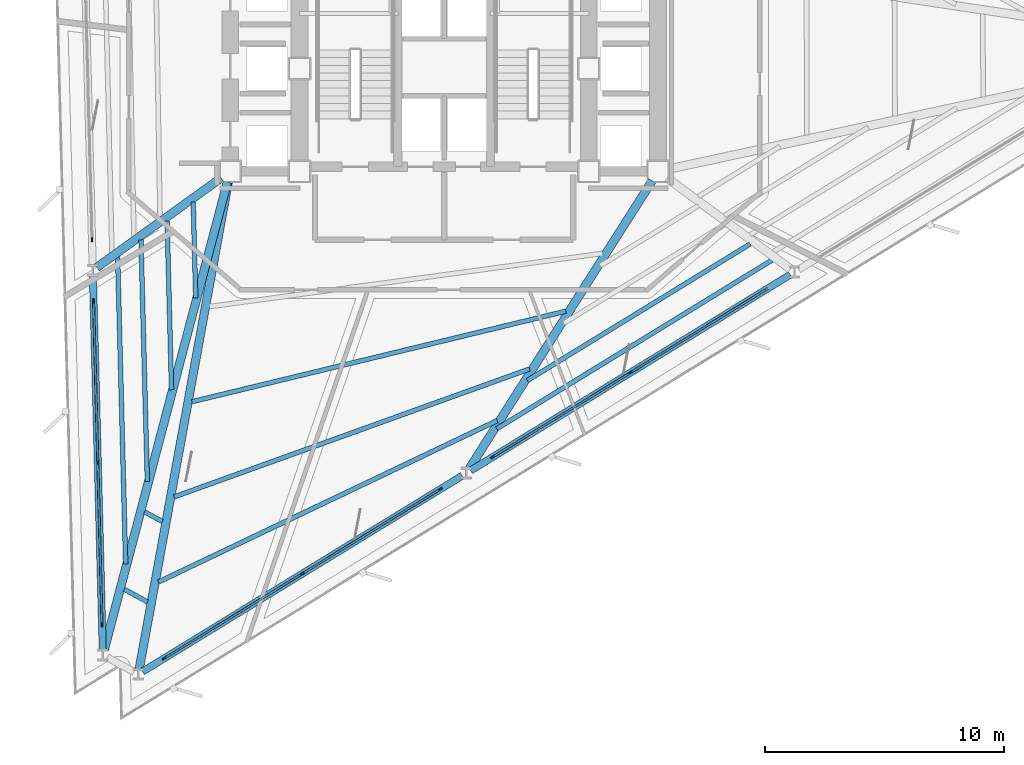
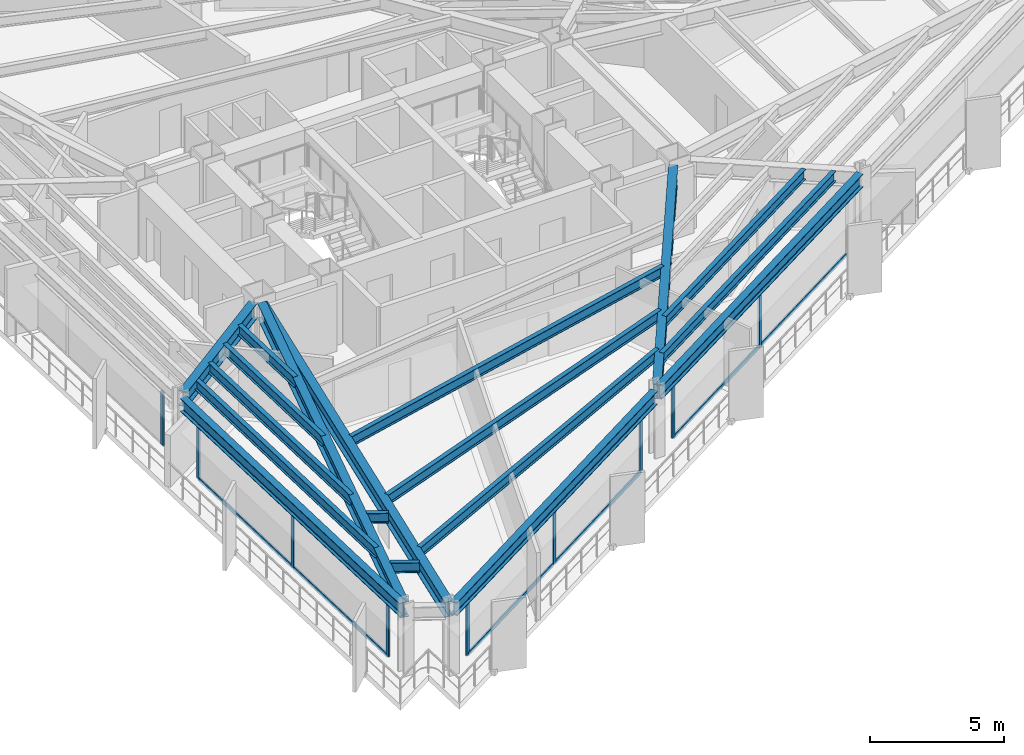
# One storey, part 2 of 14: 21 members, 18 beams, 4 elements without a shape of their own.
"""IFC4 building model written with IfcOpenShell, lengths in metres."""

from ifc_helpers import new_model, si_unit, direction, frame, origin, origin_2d, place, context, subcontext, project, spatial, rectangle, i_section, extrude, material, layer, layer_set, material_profile, profile_set, type_object, element, aggregate, save


model = new_model("IFC4")

# Units and contexts
model_context = context("Model", 3, precision=1e-05, world=origin(), true_north=direction((0.0, 1.0)))
body_context = subcontext(model_context, "Body", "Model", "MODEL_VIEW")
ifc_project = project(units=[si_unit("LENGTHUNIT", "METRE"), si_unit("AREAUNIT", "SQUARE_METRE"), si_unit("VOLUMEUNIT", "CUBIC_METRE"), si_unit("PLANEANGLEUNIT", "RADIAN"), si_unit("MASSUNIT", "GRAM", prefix="KILO")], contexts=[model_context])

# Site, building, storey
site_placement = place(None, origin())
site = spatial("IfcSite", under=ifc_project, at=site_placement, CompositionType="ELEMENT")
building_placement = place(site_placement, origin())
building = spatial("IfcBuilding", under=site, at=building_placement, Name="Rocaltana Carrier Exchange", CompositionType="ELEMENT")
storey_placement = place(building_placement, frame((0.0, 0.0, 28.9599609375)))
storey = spatial("IfcBuildingStorey", under=building, at=storey_placement, Name="L09", CompositionType="ELEMENT", Elevation=28.9599609375)

# Curtain wall, member
ifc_material_1 = material(Name="Aluminium 6063-T6", Category="aluminium")
ifc_layer = layer(ifc_material_1, 0.179931640625)
ifc_layer_set = layer_set([ifc_layer], Name="Aluminium 6063-T6")
curtain_wall_type = type_object("IfcCurtainWallType", Name="Sandstone Spandrel Unitised Curtain Wall CW-01", PredefinedType="NOTDEFINED", material=ifc_layer_set)
curtain_wall_1_placement = place(storey_placement, origin())
curtain_wall_1 = element("IfcCurtainWall", 1, at=curtain_wall_1_placement, inside=storey, type_object=curtain_wall_type, Name="L09 CW-01 Run CW-L09-F2S2", PredefinedType="NOTDEFINED")
ifc_material_2 = material(Name="Aluminium 6063-T6", Category="aluminium")
ifc_material_profile_1 = material_profile(ifc_material_2, rectangle(XDim=0.06494140625, YDim=0.179931640625, at=origin_2d()), Name="AL-65X180")
ifc_profile_set_1 = profile_set([ifc_material_profile_1], Name="Aluminium 6063-T6")
member_type_1 = type_object("IfcMemberType", Name="CW-01 Mullion AL-65X180", PredefinedType="MULLION", material=ifc_profile_set_1)
member_1_placement = place(storey_placement, frame((-14.733642578125, -7.155517578125, 0.0), z_axis=(0.0, 0.0, 1.0), x_axis=(0.99965733548, 0.026176547142, 0.0)))
member_1 = element("IfcMember", 2, at=member_1_placement, type_object=member_type_1, Name="CW-01 mullion 3", PredefinedType="MULLION", context=body_context, shape_type="SweptSolid", body=[
    extrude(rectangle(XDim=0.06494140625, YDim=0.179931640625, at=origin_2d()), origin(), (0.0, 0.0, 1.0), 2.47802734375),
])
aggregate(curtain_wall_1, [member_1])

# Curtain wall, members
curtain_wall_2_placement = place(storey_placement, origin())
curtain_wall_2 = element("IfcCurtainWall", 3, at=curtain_wall_2_placement, inside=storey, type_object=curtain_wall_type, Name="L09 CW-01 Run CW-L09-F2S3", PredefinedType="NOTDEFINED")
member_2_placement = place(storey_placement, frame((-14.66650390625, -9.7197265625, 0.0), z_axis=(0.0, 0.0, 1.0), x_axis=(0.999657143044, 0.026183895077, 0.0)))
member_2 = element("IfcMember", 4, at=member_2_placement, type_object=member_type_1, Name="CW-01 mullion 1", PredefinedType="MULLION", context=body_context, shape_type="SweptSolid", body=[
    extrude(rectangle(XDim=0.06494140625, YDim=0.179931640625, at=origin_2d()), origin(), (0.0, 0.0, 1.0), 2.47802734375),
])
member_3_placement = place(storey_placement, frame((-14.4892578125, -16.48486328125, 0.0), z_axis=(0.0, 0.0, 1.0), x_axis=(0.999657143044, 0.026183895077, 0.0)))
member_3 = element("IfcMember", 5, at=member_3_placement, type_object=member_type_1, Name="CW-01 mullion 2", PredefinedType="MULLION", context=body_context, shape_type="SweptSolid", body=[
    extrude(rectangle(XDim=0.06494140625, YDim=0.179931640625, at=origin_2d()), origin(), (0.0, 0.0, 1.0), 2.47802734375),
])
member_4_placement = place(storey_placement, frame((-14.31201171875, -23.25, 0.0), z_axis=(0.0, 0.0, 1.0), x_axis=(0.999657143044, 0.026183895077, 0.0)))
member_4 = element("IfcMember", 6, at=member_4_placement, type_object=member_type_1, Name="CW-01 mullion 3", PredefinedType="MULLION", context=body_context, shape_type="SweptSolid", body=[
    extrude(rectangle(XDim=0.06494140625, YDim=0.179931640625, at=origin_2d()), origin(), (0.0, 0.0, 1.0), 2.47802734375),
])

curtain_wall_3_placement = place(storey_placement, origin())
curtain_wall_3 = element("IfcCurtainWall", 7, at=curtain_wall_3_placement, inside=storey, type_object=curtain_wall_type, Name="L09 CW-01 Run CW-L09-F3S1", PredefinedType="NOTDEFINED")
member_5_placement = place(storey_placement, frame((-11.704345703125, -24.666015625, 0.0), z_axis=(0.0, 0.0, 1.0), x_axis=(-0.522505157925, 0.852636123996, 0.0)))
member_5 = element("IfcMember", 8, at=member_5_placement, type_object=member_type_1, Name="CW-01 mullion 1", PredefinedType="MULLION", context=body_context, shape_type="SweptSolid", body=[
    extrude(rectangle(XDim=0.06494140625, YDim=0.179931640625, at=origin_2d()), origin(), (0.0, 0.0, 1.0), 2.47802734375),
])
member_6_placement = place(storey_placement, frame((-5.93408203125, -21.130126953125, 0.0), z_axis=(0.0, 0.0, 1.0), x_axis=(-0.522505157925, 0.852636123996, 0.0)))
member_6 = element("IfcMember", 9, at=member_6_placement, type_object=member_type_1, Name="CW-01 mullion 2", PredefinedType="MULLION", context=body_context, shape_type="SweptSolid", body=[
    extrude(rectangle(XDim=0.06494140625, YDim=0.179931640625, at=origin_2d()), origin(), (0.0, 0.0, 1.0), 2.47802734375),
])
member_7_placement = place(storey_placement, frame((-0.163818359375, -17.593994140625, 0.0), z_axis=(0.0, 0.0, 1.0), x_axis=(-0.522505157925, 0.852636123996, 0.0)))
member_7 = element("IfcMember", 10, at=member_7_placement, type_object=member_type_1, Name="CW-01 mullion 3", PredefinedType="MULLION", context=body_context, shape_type="SweptSolid", body=[
    extrude(rectangle(XDim=0.06494140625, YDim=0.179931640625, at=origin_2d()), origin(), (0.0, 0.0, 1.0), 2.47802734375),
])

curtain_wall_4_placement = place(storey_placement, origin())
curtain_wall_4 = element("IfcCurtainWall", 11, at=curtain_wall_4_placement, inside=storey, type_object=curtain_wall_type, Name="L09 CW-01 Run CW-L09-F3S2", PredefinedType="NOTDEFINED")
member_8_placement = place(storey_placement, frame((2.023193359375, -16.25390625, 0.0), z_axis=(0.0, 0.0, 1.0), x_axis=(-0.522499812415, 0.852639399762, 0.0)))
member_8 = element("IfcMember", 12, at=member_8_placement, type_object=member_type_1, Name="CW-01 mullion 1", PredefinedType="MULLION", context=body_context, shape_type="SweptSolid", body=[
    extrude(rectangle(XDim=0.06494140625, YDim=0.179931640625, at=origin_2d()), origin(), (0.0, 0.0, 1.0), 2.47802734375),
])
member_9_placement = place(storey_placement, frame((7.79345703125, -12.7177734375, 0.0), z_axis=(0.0, 0.0, 1.0), x_axis=(-0.522499812415, 0.852639399762, 0.0)))
member_9 = element("IfcMember", 13, at=member_9_placement, type_object=member_type_1, Name="CW-01 mullion 2", PredefinedType="MULLION", context=body_context, shape_type="SweptSolid", body=[
    extrude(rectangle(XDim=0.06494140625, YDim=0.179931640625, at=origin_2d()), origin(), (0.0, 0.0, 1.0), 2.47802734375),
])

# Member
ifc_material_3 = material(Name="Aluminium 6063-T6", Category="aluminium")
ifc_material_profile_2 = material_profile(ifc_material_3, rectangle(XDim=0.06494140625, YDim=0.179931640625, at=origin_2d()), Name="AL-65X180")
ifc_profile_set_2 = profile_set([ifc_material_profile_2], Name="Aluminium 6063-T6")
member_type_2 = type_object("IfcMemberType", Name="CW-01 Transom AL-65X180", PredefinedType="USERDEFINED", material=ifc_profile_set_2)
member_10_placement = place(storey_placement, frame((-14.66552734375, -9.752197265625, 0.032470703125), z_axis=(0.026189818331, -0.999656987879, 0.0), x_axis=(0.999656987879, 0.026189818331, 0.0)))
member_10 = element("IfcMember", 14, at=member_10_placement, type_object=member_type_2, Name="CW-01 transom 1.1", ObjectType="TRANSOM", PredefinedType="USERDEFINED", context=body_context, shape_type="SweptSolid", body=[
    extrude(rectangle(XDim=0.06494140625, YDim=0.179931640625, at=origin_2d()), origin(), (0.0, 0.0, 1.0), 6.702392578125),
])

member_11_placement = place(storey_placement, frame((-14.66552734375, -9.752197265625, 2.445556640625), z_axis=(0.026189818331, -0.999656987879, 0.0), x_axis=(0.999656987879, 0.026189818331, 0.0)))
member_11 = element("IfcMember", 15, at=member_11_placement, type_object=member_type_2, Name="CW-01 transom 1.2", ObjectType="TRANSOM", PredefinedType="USERDEFINED", context=body_context, shape_type="SweptSolid", body=[
    extrude(rectangle(XDim=0.06494140625, YDim=0.179931640625, at=origin_2d()), origin(), (0.0, 0.0, 1.0), 6.702392578125),
])

member_12_placement = place(storey_placement, frame((-14.48828125, -16.517333984375, 0.032470703125), z_axis=(0.026153417925, -0.999657940863, 0.0), x_axis=(0.999657940863, 0.026153417925, 0.0)))
member_12 = element("IfcMember", 16, at=member_12_placement, type_object=member_type_2, Name="CW-01 transom 2.1", ObjectType="TRANSOM", PredefinedType="USERDEFINED", context=body_context, shape_type="SweptSolid", body=[
    extrude(rectangle(XDim=0.06494140625, YDim=0.179931640625, at=origin_2d()), origin(), (0.0, 0.0, 1.0), 6.702392578125),
])

member_13_placement = place(storey_placement, frame((-14.48828125, -16.517333984375, 2.445556640625), z_axis=(0.026153417925, -0.999657940863, 0.0), x_axis=(0.999657940863, 0.026153417925, 0.0)))
member_13 = element("IfcMember", 17, at=member_13_placement, type_object=member_type_2, Name="CW-01 transom 2.2", ObjectType="TRANSOM", PredefinedType="USERDEFINED", context=body_context, shape_type="SweptSolid", body=[
    extrude(rectangle(XDim=0.06494140625, YDim=0.179931640625, at=origin_2d()), origin(), (0.0, 0.0, 1.0), 6.702392578125),
])

aggregate(curtain_wall_2, [member_2, member_3, member_4, member_10, member_11, member_12, member_13])

member_14_placement = place(storey_placement, frame((-11.676513671875, -24.649169921875, 0.032470703125), z_axis=(0.85263109068, 0.522513371318, 0.0), x_axis=(-0.522513371318, 0.85263109068, 0.0)))
member_14 = element("IfcMember", 18, at=member_14_placement, type_object=member_type_2, Name="CW-01 transom 1.1", ObjectType="TRANSOM", PredefinedType="USERDEFINED", context=body_context, shape_type="SweptSolid", body=[
    extrude(rectangle(XDim=0.06494140625, YDim=0.179931640625, at=origin_2d()), origin(), (0.0, 0.0, 1.0), 6.70263671875),
])

member_15_placement = place(storey_placement, frame((-11.676513671875, -24.649169921875, 2.445556640625), z_axis=(0.85263109068, 0.522513371318, 0.0), x_axis=(-0.522513371318, 0.85263109068, 0.0)))
member_15 = element("IfcMember", 19, at=member_15_placement, type_object=member_type_2, Name="CW-01 transom 1.2", ObjectType="TRANSOM", PredefinedType="USERDEFINED", context=body_context, shape_type="SweptSolid", body=[
    extrude(rectangle(XDim=0.06494140625, YDim=0.179931640625, at=origin_2d()), origin(), (0.0, 0.0, 1.0), 6.70263671875),
])

member_16_placement = place(storey_placement, frame((-5.90625, -21.113037109375, 0.032470703125), z_axis=(0.85264731822, 0.522486890488, 0.0), x_axis=(-0.522486890488, 0.85264731822, 0.0)))
member_16 = element("IfcMember", 20, at=member_16_placement, type_object=member_type_2, Name="CW-01 transom 2.1", ObjectType="TRANSOM", PredefinedType="USERDEFINED", context=body_context, shape_type="SweptSolid", body=[
    extrude(rectangle(XDim=0.06494140625, YDim=0.179931640625, at=origin_2d()), origin(), (0.0, 0.0, 1.0), 6.702392578125),
])

member_17_placement = place(storey_placement, frame((-5.90625, -21.113037109375, 2.445556640625), z_axis=(0.85264731822, 0.522486890488, 0.0), x_axis=(-0.522486890488, 0.85264731822, 0.0)))
member_17 = element("IfcMember", 21, at=member_17_placement, type_object=member_type_2, Name="CW-01 transom 2.2", ObjectType="TRANSOM", PredefinedType="USERDEFINED", context=body_context, shape_type="SweptSolid", body=[
    extrude(rectangle(XDim=0.06494140625, YDim=0.179931640625, at=origin_2d()), origin(), (0.0, 0.0, 1.0), 6.702392578125),
])

aggregate(curtain_wall_3, [member_5, member_6, member_7, member_14, member_15, member_16, member_17])

member_18_placement = place(storey_placement, frame((2.051025390625, -16.23681640625, 0.032470703125), z_axis=(0.852637373876, 0.522503118335, 0.0), x_axis=(-0.522503118335, 0.852637373876, 0.0)))
member_18 = element("IfcMember", 22, at=member_18_placement, type_object=member_type_2, Name="CW-01 transom 1.1", ObjectType="TRANSOM", PredefinedType="USERDEFINED", context=body_context, shape_type="SweptSolid", body=[
    extrude(rectangle(XDim=0.06494140625, YDim=0.179931640625, at=origin_2d()), origin(), (0.0, 0.0, 1.0), 6.7021484375),
])

member_19_placement = place(storey_placement, frame((2.051025390625, -16.23681640625, 2.445556640625), z_axis=(0.852637373876, 0.522503118335, 0.0), x_axis=(-0.522503118335, 0.852637373876, 0.0)))
member_19 = element("IfcMember", 23, at=member_19_placement, type_object=member_type_2, Name="CW-01 transom 1.2", ObjectType="TRANSOM", PredefinedType="USERDEFINED", context=body_context, shape_type="SweptSolid", body=[
    extrude(rectangle(XDim=0.06494140625, YDim=0.179931640625, at=origin_2d()), origin(), (0.0, 0.0, 1.0), 6.7021484375),
])

member_20_placement = place(storey_placement, frame((7.821044921875, -12.700927734375, 0.032470703125), z_axis=(0.85263109068, 0.522513371318, 0.0), x_axis=(-0.522513371318, 0.85263109068, 0.0)))
member_20 = element("IfcMember", 24, at=member_20_placement, type_object=member_type_2, Name="CW-01 transom 2.1", ObjectType="TRANSOM", PredefinedType="USERDEFINED", context=body_context, shape_type="SweptSolid", body=[
    extrude(rectangle(XDim=0.06494140625, YDim=0.179931640625, at=origin_2d()), origin(), (0.0, 0.0, 1.0), 6.70263671875),
])

member_21_placement = place(storey_placement, frame((7.821044921875, -12.700927734375, 2.445556640625), z_axis=(0.85263109068, 0.522513371318, 0.0), x_axis=(-0.522513371318, 0.85263109068, 0.0)))
member_21 = element("IfcMember", 25, at=member_21_placement, type_object=member_type_2, Name="CW-01 transom 2.2", ObjectType="TRANSOM", PredefinedType="USERDEFINED", context=body_context, shape_type="SweptSolid", body=[
    extrude(rectangle(XDim=0.06494140625, YDim=0.179931640625, at=origin_2d()), origin(), (0.0, 0.0, 1.0), 6.70263671875),
])

aggregate(curtain_wall_4, [member_8, member_9, member_18, member_19, member_20, member_21])

# Beams
ifc_material_4 = material(Name="Steel S355", Category="steel")
ifc_material_profile_3 = material_profile(ifc_material_4, i_section(OverallWidth=0.193115234375, OverallDepth=0.466064453125, WebThickness=0.011474609375, FlangeThickness=0.01904296875, FilletRadius=0.013916015625, at=origin_2d()), Name="W18X65")
ifc_profile_set_3 = profile_set([ifc_material_profile_3], Name="Steel S355")
beam_type_1 = type_object("IfcBeamType", Name="Floor Joist W18X65", PredefinedType="JOIST", material=ifc_profile_set_3)
beam_1_placement = place(storey_placement, frame((-10.498046875, -5.588623046875, 2.864990234375), z_axis=(0.02615756085, -0.999657832466, 0.0), x_axis=(0.999657832466, 0.02615756085, 0.0)))
element("IfcBeam", 26, at=beam_1_placement, inside=storey, type_object=beam_type_1, Name="FJ-L09-07-1", PredefinedType="JOIST", context=body_context, shape_type="SweptSolid", body=[
    extrude(i_section(OverallWidth=0.193115234375, OverallDepth=0.466064453125, WebThickness=0.011474609375, FlangeThickness=0.01904296875, FilletRadius=0.013916015625, at=origin_2d()), origin(), (0.0, 0.0, 1.0), 4.004150390625),
])
beam_2_placement = place(storey_placement, frame((-11.590576171875, -6.374755859375, 2.864990234375), z_axis=(0.026201236861, -0.999656688662, 0.0), x_axis=(0.999656688662, 0.026201236861, 0.0)))
element("IfcBeam", 27, at=beam_2_placement, inside=storey, type_object=beam_type_1, Name="FJ-L09-07-2", PredefinedType="JOIST", context=body_context, shape_type="SweptSolid", body=[
    extrude(i_section(OverallWidth=0.193115234375, OverallDepth=0.466064453125, WebThickness=0.011474609375, FlangeThickness=0.01904296875, FilletRadius=0.013916015625, at=origin_2d()), origin(), (0.0, 0.0, 1.0), 7.06298828125),
])
beam_3_placement = place(storey_placement, frame((-12.68310546875, -7.160888671875, 2.864990234375), z_axis=(0.026193779282, -0.999656884099, 0.0), x_axis=(0.999656884099, 0.026193779282, 0.0)))
element("IfcBeam", 28, at=beam_3_placement, inside=storey, type_object=beam_type_1, Name="FJ-L09-07-3", PredefinedType="JOIST", context=body_context, shape_type="SweptSolid", body=[
    extrude(i_section(OverallWidth=0.193115234375, OverallDepth=0.466064453125, WebThickness=0.011474609375, FlangeThickness=0.01904296875, FilletRadius=0.013916015625, at=origin_2d()), origin(), (0.0, 0.0, 1.0), 10.1220703125),
])
beam_4_placement = place(storey_placement, frame((-13.660400390625, -7.864501953125, 2.864990234375), z_axis=(0.026162886521, -0.999657693097, 0.0), x_axis=(0.999657693097, 0.026162886521, 0.0)))
element("IfcBeam", 29, at=beam_4_placement, inside=storey, type_object=beam_type_1, Name="FJ-L09-07-4", PredefinedType="JOIST", context=body_context, shape_type="SweptSolid", body=[
    extrude(i_section(OverallWidth=0.193115234375, OverallDepth=0.466064453125, WebThickness=0.011474609375, FlangeThickness=0.01904296875, FilletRadius=0.013916015625, at=origin_2d()), origin(), (0.0, 0.0, 1.0), 12.85888671875),
])
beam_5_placement = place(storey_placement, frame((-12.529296875, -18.54443359375, 2.864990234375), z_axis=(0.878797482276, -0.477194913159, 0.0), x_axis=(0.477194913159, 0.878797482276, 0.0)))
element("IfcBeam", 30, at=beam_5_placement, inside=storey, type_object=beam_type_1, Name="FJ-L09-08-3", PredefinedType="JOIST", context=body_context, shape_type="SweptSolid", body=[
    extrude(i_section(OverallWidth=0.193115234375, OverallDepth=0.466064453125, WebThickness=0.011474609375, FlangeThickness=0.01904296875, FilletRadius=0.013916015625, at=origin_2d()), origin(), (0.0, 0.0, 1.0), 0.83642578125),
])
beam_6_placement = place(storey_placement, frame((-13.3818359375, -21.781494140625, 2.864990234375), z_axis=(0.878771440965, -0.477242867462, 0.0), x_axis=(0.477242867462, 0.878771440965, 0.0)))
element("IfcBeam", 31, at=beam_6_placement, inside=storey, type_object=beam_type_1, Name="FJ-L09-08-4", PredefinedType="JOIST", context=body_context, shape_type="SweptSolid", body=[
    extrude(i_section(OverallWidth=0.193115234375, OverallDepth=0.466064453125, WebThickness=0.011474609375, FlangeThickness=0.01904296875, FilletRadius=0.013916015625, at=origin_2d()), origin(), (0.0, 0.0, 1.0), 1.10595703125),
])
beam_7_placement = place(storey_placement, frame((-10.55322265625, -13.936279296875, 2.864990234375), z_axis=(0.971913306863, 0.235339167889, 0.0), x_axis=(-0.235339167889, 0.971913306863, 0.0)))
element("IfcBeam", 32, at=beam_7_placement, inside=storey, type_object=beam_type_1, Name="FJ-L09-09-2", PredefinedType="JOIST", context=body_context, shape_type="SweptSolid", body=[
    extrude(i_section(OverallWidth=0.193115234375, OverallDepth=0.466064453125, WebThickness=0.011474609375, FlangeThickness=0.01904296875, FilletRadius=0.013916015625, at=origin_2d()), origin(), (0.0, 0.0, 1.0), 16.099365234375),
])
beam_8_placement = place(storey_placement, frame((-11.289794921875, -17.915283203125, 2.864990234375), z_axis=(0.940885835943, 0.338723845813, 0.0), x_axis=(-0.338723845813, 0.940885835943, 0.0)))
element("IfcBeam", 33, at=beam_8_placement, inside=storey, type_object=beam_type_1, Name="FJ-L09-09-3", PredefinedType="JOIST", context=body_context, shape_type="SweptSolid", body=[
    extrude(i_section(OverallWidth=0.193115234375, OverallDepth=0.466064453125, WebThickness=0.011474609375, FlangeThickness=0.01904296875, FilletRadius=0.013916015625, at=origin_2d()), origin(), (0.0, 0.0, 1.0), 15.799072265625),
])
beam_9_placement = place(storey_placement, frame((-11.950439453125, -21.475830078125, 2.864990234375), z_axis=(0.902777117636, 0.430108679141, 0.0), x_axis=(-0.430108679141, 0.902777117636, 0.0)))
element("IfcBeam", 34, at=beam_9_placement, inside=storey, type_object=beam_type_1, Name="FJ-L09-09-4", PredefinedType="JOIST", context=body_context, shape_type="SweptSolid", body=[
    extrude(i_section(OverallWidth=0.193115234375, OverallDepth=0.466064453125, WebThickness=0.011474609375, FlangeThickness=0.01904296875, FilletRadius=0.013916015625, at=origin_2d()), origin(), (0.0, 0.0, 1.0), 15.69482421875),
])
beam_10_placement = place(storey_placement, frame((3.48193359375, -13.047119140625, 2.864990234375), z_axis=(0.852647168541, 0.52248713475, 0.0), x_axis=(-0.52248713475, 0.852647168541, 0.0)))
element("IfcBeam", 35, at=beam_10_placement, inside=storey, type_object=beam_type_1, Name="FJ-L09-10-3", PredefinedType="JOIST", context=body_context, shape_type="SweptSolid", body=[
    extrude(i_section(OverallWidth=0.193115234375, OverallDepth=0.466064453125, WebThickness=0.011474609375, FlangeThickness=0.01904296875, FilletRadius=0.013916015625, at=origin_2d()), origin(), (0.0, 0.0, 1.0), 10.927001953125),
])
beam_11_placement = place(storey_placement, frame((2.19873046875, -15.06689453125, 2.864990234375), z_axis=(0.852643866126, 0.522492523926, 0.0), x_axis=(-0.522492523926, 0.852643866126, 0.0)))
element("IfcBeam", 36, at=beam_11_placement, inside=storey, type_object=beam_type_1, Name="FJ-L09-10-4", PredefinedType="JOIST", context=body_context, shape_type="SweptSolid", body=[
    extrude(i_section(OverallWidth=0.193115234375, OverallDepth=0.466064453125, WebThickness=0.011474609375, FlangeThickness=0.01904296875, FilletRadius=0.013916015625, at=origin_2d()), origin(), (0.0, 0.0, 1.0), 13.5029296875),
])
ifc_material_5 = material(Name="Steel S355", Category="steel")
ifc_material_profile_4 = material_profile(ifc_material_5, i_section(OverallWidth=0.35498046875, OverallDepth=0.695068359375, WebThickness=0.015380859375, FlangeThickness=0.02490234375, FilletRadius=0.01806640625, at=origin_2d()), Name="W27X146")
ifc_profile_set_4 = profile_set([ifc_material_profile_4], Name="Steel S355")
beam_type_2 = type_object("IfcBeamType", Name="Radial Girder W27X146", PredefinedType="BEAM", material=ifc_profile_set_4)
beam_12_placement = place(storey_placement, frame((-9.3291015625, -4.57275390625, 2.75048828125), z_axis=(-0.811692545501, -0.584084935243, 0.0), x_axis=(0.584084935243, -0.811692545501, 0.0)))
element("IfcBeam", 37, at=beam_12_placement, inside=storey, type_object=beam_type_2, Name="RG-L09-07", PredefinedType="BEAM", context=body_context, shape_type="SweptSolid", body=[
    extrude(i_section(OverallWidth=0.35498046875, OverallDepth=0.695068359375, WebThickness=0.015380859375, FlangeThickness=0.02490234375, FilletRadius=0.01806640625, at=origin_2d()), origin(), (0.0, 0.0, 1.0), 6.408935546875),
])
beam_13_placement = place(storey_placement, frame((-9.06884765625, -4.751708984375, 2.75048828125), z_axis=(-0.254690940401, -0.967022504845, 0.0), x_axis=(0.967022504845, -0.254690940401, 0.0)))
element("IfcBeam", 38, at=beam_13_placement, inside=storey, type_object=beam_type_2, Name="RG-L09-08", PredefinedType="BEAM", context=body_context, shape_type="SweptSolid", body=[
    extrude(i_section(OverallWidth=0.35498046875, OverallDepth=0.695068359375, WebThickness=0.015380859375, FlangeThickness=0.02490234375, FilletRadius=0.01806640625, at=origin_2d()), origin(), (0.0, 0.0, 1.0), 20.2470703125),
])
beam_14_placement = place(storey_placement, frame((-9.033935546875, -4.759521484375, 2.75048828125), z_axis=(-0.179939319747, -0.983677712063, 0.0), x_axis=(0.983677712063, -0.179939319747, 0.0)))
element("IfcBeam", 39, at=beam_14_placement, inside=storey, type_object=beam_type_2, Name="RG-L09-09", PredefinedType="BEAM", context=body_context, shape_type="SweptSolid", body=[
    extrude(i_section(OverallWidth=0.35498046875, OverallDepth=0.695068359375, WebThickness=0.015380859375, FlangeThickness=0.02490234375, FilletRadius=0.01806640625, at=origin_2d()), origin(), (0.0, 0.0, 1.0), 20.710205078125),
])
beam_15_placement = place(storey_placement, frame((8.69970703125, -4.694091796875, 2.75048828125), z_axis=(-0.536257007231, -0.84405475071, 0.0), x_axis=(0.84405475071, -0.536257007231, 0.0)))
element("IfcBeam", 40, at=beam_15_placement, inside=storey, type_object=beam_type_2, Name="RG-L09-10", PredefinedType="BEAM", context=body_context, shape_type="SweptSolid", body=[
    extrude(i_section(OverallWidth=0.35498046875, OverallDepth=0.695068359375, WebThickness=0.015380859375, FlangeThickness=0.02490234375, FilletRadius=0.01806640625, at=origin_2d()), origin(), (0.0, 0.0, 1.0), 14.28125),
])
ifc_material_6 = material(Name="Steel S355", Category="steel")
ifc_material_profile_5 = material_profile(ifc_material_6, i_section(OverallWidth=0.300048828125, OverallDepth=0.60009765625, WebThickness=0.015380859375, FlangeThickness=0.030029296875, FilletRadius=0.027099609375, at=origin_2d()), Name="HEB600")
ifc_profile_set_5 = profile_set([ifc_material_profile_5], Name="Steel S355")
beam_type_3 = type_object("IfcBeamType", Name="Spandrel Edge Beam HEB600", PredefinedType="SPANDREL", material=ifc_profile_set_5)
for number, where, z_axis, x_axis, name in (
    (41, (-14.694580078125, -8.6455078125, 2.798095703125), (0.026182238984, -0.99965718642, 0.0), (0.99965718642, 0.026182238984, 0.0), "SP-L09-07"),
    (42, (-12.62060546875, -25.2275390625, 2.798095703125), (0.852645545454, 0.522489783458, 0.0), (-0.522489783458, 0.852645545454, 0.0), "SP-L09-09"),
    (43, (1.10693359375, -16.815185546875, 2.798095703125), (0.852645545454, 0.522489783458, 0.0), (-0.522489783458, 0.852645545454, 0.0), "SP-L09-10"),
):
    element("IfcBeam", number, at=place(storey_placement, frame(where, z_axis=z_axis, x_axis=x_axis)), inside=storey, type_object=beam_type_3, Name=name, PredefinedType="SPANDREL", context=body_context, shape_type="SweptSolid", body=[
        extrude(i_section(OverallWidth=0.300048828125, OverallDepth=0.60009765625, WebThickness=0.015380859375, FlangeThickness=0.030029296875, FilletRadius=0.027099609375, at=origin_2d()), origin(), (0.0, 0.0, 1.0), 15.68408203125),
    ])

save(model, "model.ifc")
